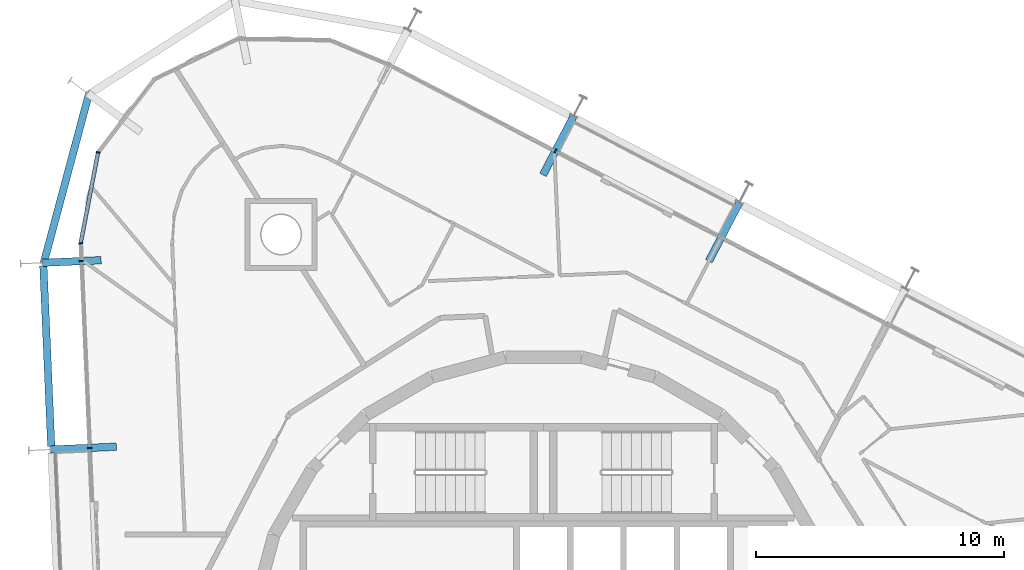
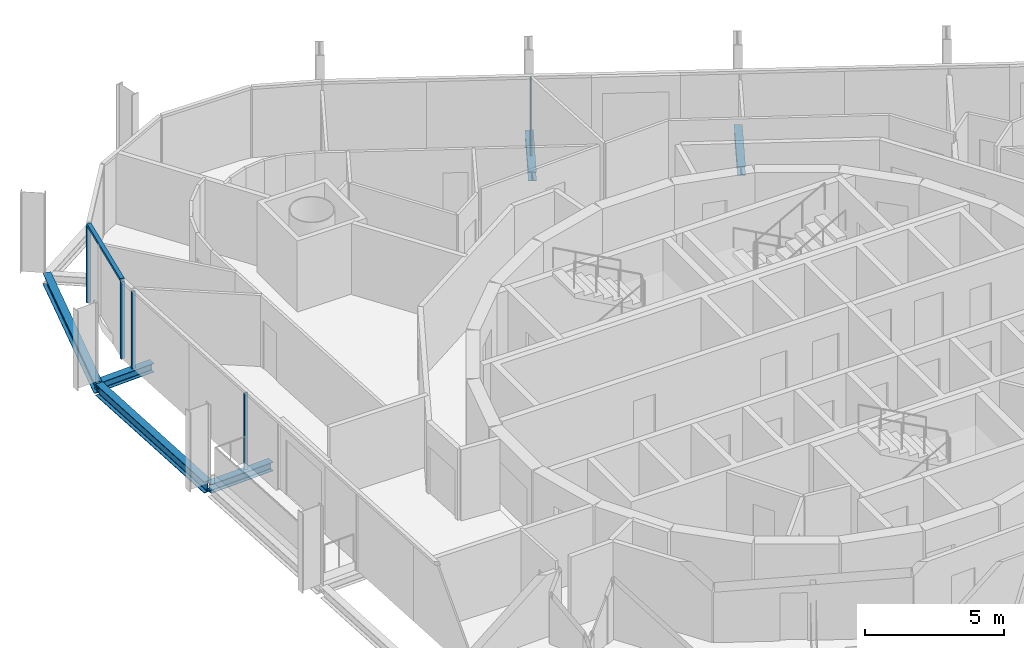
# One storey, part 6 of 18: 6 beams, 6 members, 3 elements without a shape of their own.
"""IFC4 building model written with IfcOpenShell, lengths in metres."""

from ifc_helpers import new_model, si_unit, direction, frame, origin, origin_2d, place, context, subcontext, project, spatial, rectangle, i_section, extrude, material, layer, layer_set, material_profile, profile_set, type_object, element, aggregate, save


model = new_model("IFC4")

# Units and contexts
model_context = context("Model", 3, precision=1e-05, world=origin(), true_north=direction((0.0, 1.0)))
body_context = subcontext(model_context, "Body", "Model", "MODEL_VIEW")
ifc_project = project(units=[si_unit("LENGTHUNIT", "METRE"), si_unit("AREAUNIT", "SQUARE_METRE"), si_unit("VOLUMEUNIT", "CUBIC_METRE"), si_unit("PLANEANGLEUNIT", "RADIAN"), si_unit("MASSUNIT", "GRAM", prefix="KILO")], contexts=[model_context])

# Site, building, storey
site_placement = place(None, origin())
site = spatial("IfcSite", under=ifc_project, at=site_placement, CompositionType="ELEMENT")
building_placement = place(site_placement, origin())
building = spatial("IfcBuilding", under=site, at=building_placement, Name="Spindle Arch Residences", CompositionType="ELEMENT")
storey_placement = place(building_placement, frame((0.0, 0.0, 251.199951171875)))
storey = spatial("IfcBuildingStorey", under=building, at=storey_placement, Name="L64", CompositionType="ELEMENT", Elevation=251.199951171875)

# Curtain wall, member
ifc_material_1 = material(Name="Aluminium bronze unitised frame with tinted glass", Category="aluminium")
ifc_layer_1 = layer(ifc_material_1, 0.159912109375)
ifc_layer_set_1 = layer_set([ifc_layer_1], Name="CW-C typical residential unitised wall")
curtain_wall_type_1 = type_object("IfcCurtainWallType", Name="CW-C typical residential unitised wall", PredefinedType="NOTDEFINED", material=ifc_layer_set_1)
curtain_wall_1_placement = place(storey_placement, origin())
curtain_wall_1 = element("IfcCurtainWall", 1, at=curtain_wall_1_placement, inside=storey, type_object=curtain_wall_type_1, Name="CW-C L64 run 2", PredefinedType="NOTDEFINED")
ifc_material_2 = material(Name="Aluminium bronze anodised mullion", Category="aluminium")
ifc_material_profile_1 = material_profile(ifc_material_2, rectangle(XDim=0.159912109375, YDim=0.06005859375, at=origin_2d()), Name="MU 60x160")
ifc_profile_set_1 = profile_set([ifc_material_profile_1], Name="Aluminium bronze anodised mullion")
member_type_1 = type_object("IfcMemberType", Name="Bronze mullion 60x160", PredefinedType="MULLION", material=ifc_profile_set_1)
member_1_placement = place(storey_placement, frame((0.4794921875, 19.94677734375, -0.3798828125), z_axis=(0.0, 0.0, 1.0), x_axis=(-0.461748613235, -0.887010833178, 0.0)))
member_1 = element("IfcMember", 2, at=member_1_placement, type_object=member_type_1, Name="CW-C mullion 08", PredefinedType="MULLION", context=body_context, shape_type="SweptSolid", body=[
    extrude(rectangle(XDim=0.159912109375, YDim=0.06005859375, at=origin_2d()), origin(), (0.0, 0.0, 1.0), 3.3798828125),
])
aggregate(curtain_wall_1, [member_1])

# Curtain wall, members
ifc_material_3 = material(Name="Aluminium bronze unitised frame with tinted glass", Category="aluminium")
ifc_layer_2 = layer(ifc_material_3, 0.159912109375)
ifc_layer_set_2 = layer_set([ifc_layer_2], Name="CW-D corner wall on the fillet arcs")
curtain_wall_type_2 = type_object("IfcCurtainWallType", Name="CW-D corner wall on the fillet arcs", PredefinedType="NOTDEFINED", material=ifc_layer_set_2)
curtain_wall_2_placement = place(storey_placement, origin())
curtain_wall_2 = element("IfcCurtainWall", 3, at=curtain_wall_2_placement, inside=storey, type_object=curtain_wall_type_2, Name="CW-D L64 run 3", PredefinedType="NOTDEFINED")
member_2_placement = place(storey_placement, frame((-17.93994140625, 19.896240234375, -0.3798828125), z_axis=(0.0, 0.0, 1.0), x_axis=(0.982178070104, -0.187952756314, 0.0)))
member_2 = element("IfcMember", 4, at=member_2_placement, type_object=member_type_1, Name="CW-D mullion 04", PredefinedType="MULLION", context=body_context, shape_type="SweptSolid", body=[
    extrude(rectangle(XDim=0.159912109375, YDim=0.06005859375, at=origin_2d()), origin(), (0.0, 0.0, 1.0), 3.3798828125),
])
member_3_placement = place(storey_placement, frame((-18.640380859375, 16.236083984375, -0.3798828125), z_axis=(0.0, 0.0, 1.0), x_axis=(0.999048221582, 0.043619387365, 0.0)))
member_3 = element("IfcMember", 5, at=member_3_placement, type_object=member_type_1, Name="CW-D mullion 05", PredefinedType="MULLION", context=body_context, shape_type="SweptSolid", body=[
    extrude(rectangle(XDim=0.159912109375, YDim=0.06005859375, at=origin_2d()), origin(), (0.0, 0.0, 1.0), 3.3798828125),
])

curtain_wall_3_placement = place(storey_placement, origin())
curtain_wall_3 = element("IfcCurtainWall", 6, at=curtain_wall_3_placement, inside=storey, type_object=curtain_wall_type_1, Name="CW-C L64 run 4", PredefinedType="NOTDEFINED")
member_4_placement = place(storey_placement, frame((-18.60888671875, 15.518310546875, -0.3798828125), z_axis=(0.0, 0.0, 1.0), x_axis=(0.999048221582, 0.043619387365, 0.0)))
member_4 = element("IfcMember", 7, at=member_4_placement, type_object=member_type_1, Name="CW-C mullion 12", PredefinedType="MULLION", context=body_context, shape_type="SweptSolid", body=[
    extrude(rectangle(XDim=0.159912109375, YDim=0.06005859375, at=origin_2d()), origin(), (0.0, 0.0, 1.0), 3.3798828125),
])
member_5_placement = place(storey_placement, frame((-18.280517578125, 7.995361328125, -0.3798828125), z_axis=(0.0, 0.0, 1.0), x_axis=(0.999048221582, 0.043619387365, 0.0)))
member_5 = element("IfcMember", 8, at=member_5_placement, type_object=member_type_1, Name="CW-C mullion 13", PredefinedType="MULLION", context=body_context, shape_type="SweptSolid", body=[
    extrude(rectangle(XDim=0.159912109375, YDim=0.06005859375, at=origin_2d()), origin(), (0.0, 0.0, 1.0), 3.3798828125),
])
aggregate(curtain_wall_3, [member_4, member_5])

# Member
ifc_material_4 = material(Name="Aluminium bronze anodised transom", Category="aluminium")
ifc_material_profile_2 = material_profile(ifc_material_4, rectangle(XDim=0.159912109375, YDim=0.1201171875, at=origin_2d()), Name="TR 120x160")
ifc_profile_set_2 = profile_set([ifc_material_profile_2], Name="Aluminium bronze anodised transom")
member_type_2 = type_object("IfcMemberType", Name="Bronze transom 120x160", PredefinedType="USERDEFINED", material=ifc_profile_set_2)
member_6_placement = place(storey_placement, frame((-17.945556640625, 19.866943359375, 3.06005859375), z_axis=(-0.187953386096, -0.982177949587, 0.0), x_axis=(0.982177949587, -0.187953386096, 0.0)))
member_6 = element("IfcMember", 9, at=member_6_placement, type_object=member_type_2, Name="CW-D transom 04", ObjectType="TRANSOM", PredefinedType="USERDEFINED", context=body_context, shape_type="SweptSolid", body=[
    extrude(rectangle(XDim=0.159912109375, YDim=0.1201171875, at=origin_2d()), origin(), (0.0, 0.0, 1.0), 3.6669921875),
])

aggregate(curtain_wall_2, [member_2, member_6, member_3])

# Beams
ifc_material_5 = material(Name="Steel S460ML, intumescent coating R 120", Category="steel")
ifc_material_profile_3 = material_profile(ifc_material_5, i_section(OverallWidth=0.300048828125, OverallDepth=0.5, WebThickness=0.014404296875, FlangeThickness=0.028076171875, FilletRadius=0.027099609375, at=origin_2d()), Name="HEB 500")
ifc_profile_set_3 = profile_set([ifc_material_profile_3], Name="Steel S460ML, intumescent coating R 120")
beam_type_1 = type_object("IfcBeamType", Name="Exoskeleton edge beam HEB 500", PredefinedType="BEAM", material=ifc_profile_set_3)
beam_1_placement = place(storey_placement, frame((-18.298583984375, 22.28076171875, -0.6298828125), z_axis=(-0.25832557076, -0.966057917255, 0.0), x_axis=(0.966057917255, -0.25832557076, 0.0)))
element("IfcBeam", 10, at=beam_1_placement, inside=storey, type_object=beam_type_1, Name="Exoskeleton edge beam 12", PredefinedType="BEAM", context=body_context, shape_type="SweptSolid", body=[
    extrude(i_section(OverallWidth=0.300048828125, OverallDepth=0.5, WebThickness=0.014404296875, FlangeThickness=0.028076171875, FilletRadius=0.027099609375, at=origin_2d()), origin(), (0.0, 0.0, 1.0), 7.105224609375),
])
beam_2_placement = place(storey_placement, frame((-20.141845703125, 15.3212890625, -0.6298828125), z_axis=(0.043622301665, -0.999048094337, 0.0), x_axis=(0.999048094337, 0.043622301665, 0.0)))
element("IfcBeam", 11, at=beam_2_placement, inside=storey, type_object=beam_type_1, Name="Exoskeleton edge beam 13", PredefinedType="BEAM", context=body_context, shape_type="SweptSolid", body=[
    extrude(i_section(OverallWidth=0.300048828125, OverallDepth=0.5, WebThickness=0.014404296875, FlangeThickness=0.028076171875, FilletRadius=0.027099609375, at=origin_2d()), origin(), (0.0, 0.0, 1.0), 7.27001953125),
])
ifc_material_6 = material(Name="Steel S460ML, intumescent coating R 120", Category="steel")
ifc_material_profile_4 = material_profile(ifc_material_6, i_section(OverallWidth=0.300048828125, OverallDepth=0.389892578125, WebThickness=0.010986328125, FlangeThickness=0.01904296875, FilletRadius=0.027099609375, at=origin_2d()), Name="HEA 400")
ifc_profile_set_4 = profile_set([ifc_material_profile_4], Name="Steel S460ML, intumescent coating R 120")
beam_type_2 = type_object("IfcBeamType", Name="Floor outrigger HEA 400", PredefinedType="BEAM", material=ifc_profile_set_4)
for number, where, z_axis, x_axis, name in (
    (12, (7.883544921875, 17.8623046875, -0.574951171875), (-0.461747195222, -0.887011571348, 0.0), (0.887011571348, -0.461747195222, 0.0), "Floor outrigger 8"),
    (13, (1.204345703125, 21.33935546875, -0.574951171875), (-0.461747195222, -0.887011571348, 0.0), (0.887011571348, -0.461747195222, 0.0), "Floor outrigger 9"),
):
    element("IfcBeam", number, at=place(storey_placement, frame(where, z_axis=z_axis, x_axis=x_axis)), inside=storey, type_object=beam_type_2, Name=name, PredefinedType="BEAM", context=body_context, shape_type="SweptSolid", body=[
        extrude(i_section(OverallWidth=0.300048828125, OverallDepth=0.389892578125, WebThickness=0.010986328125, FlangeThickness=0.01904296875, FilletRadius=0.027099609375, at=origin_2d()), origin(), (0.0, 0.0, 1.0), 2.64990234375),
    ])
beam_3_placement = place(storey_placement, frame((-20.177490234375, 15.44970703125, -0.574951171875), z_axis=(0.999047575201, 0.043634189397, 0.0), x_axis=(-0.043634189397, 0.999047575201, 0.0)))
element("IfcBeam", 14, at=beam_3_placement, inside=storey, type_object=beam_type_2, Name="Floor outrigger 13", PredefinedType="BEAM", context=body_context, shape_type="SweptSolid", body=[
    extrude(i_section(OverallWidth=0.300048828125, OverallDepth=0.389892578125, WebThickness=0.010986328125, FlangeThickness=0.01904296875, FilletRadius=0.027099609375, at=origin_2d()), origin(), (0.0, 0.0, 1.0), 2.36669921875),
])
beam_4_placement = place(storey_placement, frame((-19.84912109375, 7.9267578125, -0.574951171875), z_axis=(0.999046049411, 0.043669109869, 0.0), x_axis=(-0.043669109869, 0.999046049411, 0.0)))
element("IfcBeam", 15, at=beam_4_placement, inside=storey, type_object=beam_type_2, Name="Floor outrigger 14", PredefinedType="BEAM", context=body_context, shape_type="SweptSolid", body=[
    extrude(i_section(OverallWidth=0.300048828125, OverallDepth=0.389892578125, WebThickness=0.010986328125, FlangeThickness=0.01904296875, FilletRadius=0.027099609375, at=origin_2d()), origin(), (0.0, 0.0, 1.0), 2.64990234375),
])

save(model, "model.ifc")
